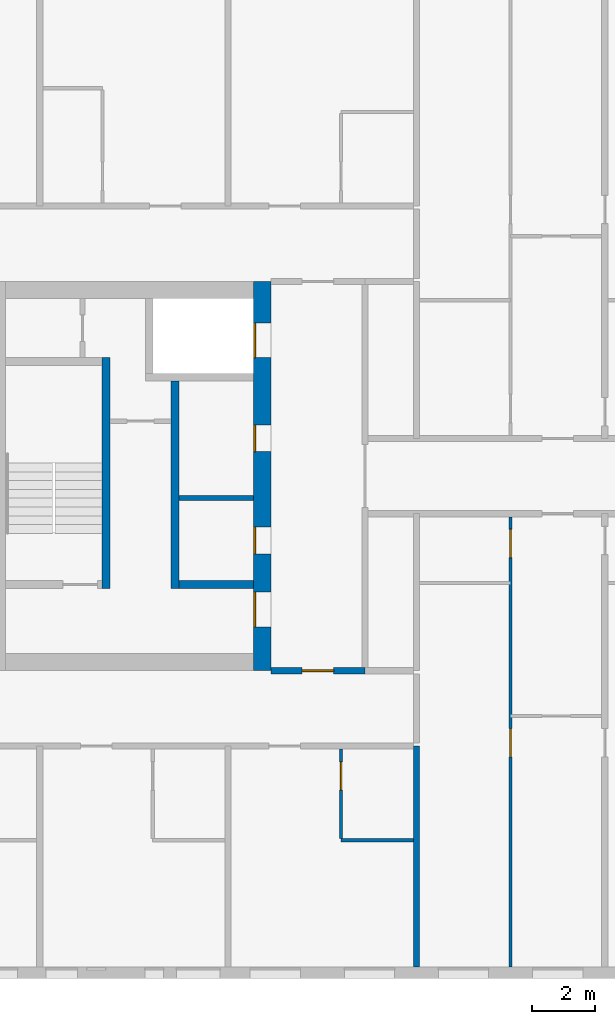
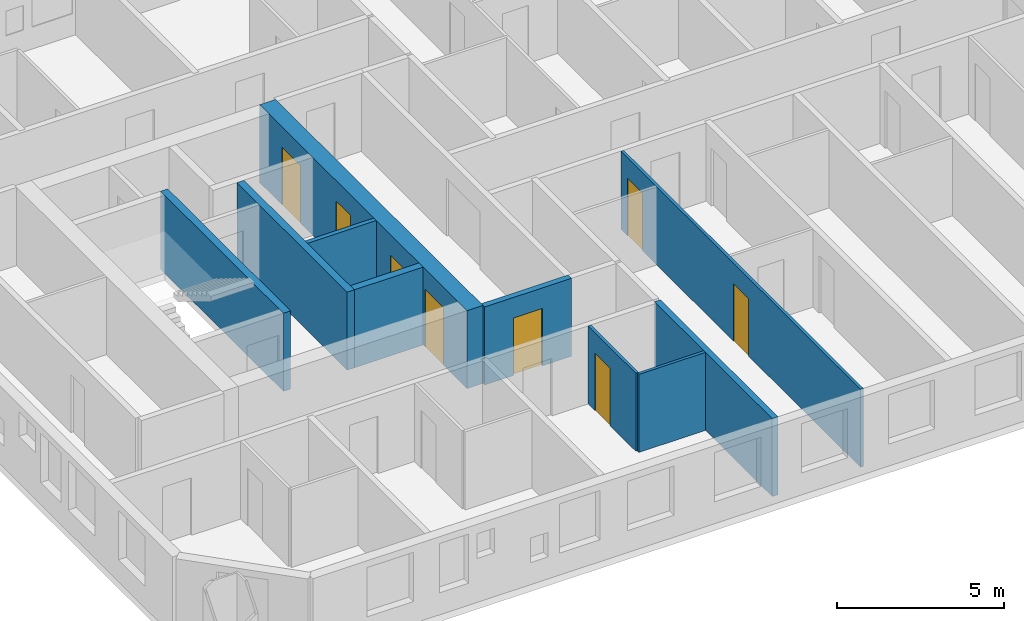
# One storey, part 3 of 17: 10 walls, 8 doors, 8 openings.
"""IFC4 building model written with IfcOpenShell, lengths in metres."""

from ifc_helpers import new_model, si_unit, direction, frame, frame_2d, origin, place, context, subcontext, project, spatial, rectangle, extrude, material, layer, layer_set, type_object, element, fill, save


model = new_model("IFC4")

# Units and contexts
model_context = context("Model", 3, precision=1e-05, world=origin(), true_north=direction((0.0, 1.0)))
body_context = subcontext(model_context, "Body", "Model", "MODEL_VIEW")
ifc_project = project(units=[si_unit("LENGTHUNIT", "METRE"), si_unit("AREAUNIT", "SQUARE_METRE"), si_unit("VOLUMEUNIT", "CUBIC_METRE"), si_unit("PLANEANGLEUNIT", "RADIAN"), si_unit("MASSUNIT", "GRAM", prefix="KILO")], contexts=[model_context])

# Site, building, storey
site_placement = place(None, origin())
site = spatial("IfcSite", under=ifc_project, at=site_placement, CompositionType="ELEMENT")
building_placement = place(site_placement, origin())
building = spatial("IfcBuilding", under=site, at=building_placement, Name="Tuart Gate Housing", CompositionType="ELEMENT")
storey_placement = place(building_placement, frame((0.0, 0.0, 126.800048828125)))
storey = spatial("IfcBuildingStorey", under=building, at=storey_placement, Name="L35", CompositionType="ELEMENT", Elevation=126.800048828125)

# Walls
ifc_material_1 = material(Name="Plasterboard partition")
ifc_layer_1 = layer(ifc_material_1, 0.14990234375)
ifc_layer_set_1 = layer_set([ifc_layer_1], Name="Core partition 150")
wall_type_1 = type_object("IfcWallType", Name="Core partition 150", PredefinedType="PARTITIONING", material=ifc_layer_set_1)
wall_1_placement = place(storey_placement, frame((40.81005859375, 69.300048828125, 0.0), z_axis=(0.0, 0.0, 1.0), x_axis=(-1.0, 0.0, 0.0)))
element("IfcWall", 1, at=wall_1_placement, inside=storey, type_object=wall_type_1, Name="Core partition AK.4", PredefinedType="PARTITIONING", context=body_context, shape_type="SweptSolid", body=[
    extrude(rectangle(XDim=2.375, YDim=0.14990234375, at=frame_2d((1.1875, 0.0))), origin(), (0.0, 0.0, 1.0), 2.849853515625),
])
ifc_material_2 = material(Name="Concrete C50", Category="concrete")
ifc_layer_2 = layer(ifc_material_2, 0.25)
ifc_layer_set_2 = layer_set([ifc_layer_2], Name="Core wall 250 C50")
wall_type_2 = type_object("IfcWallType", Name="Core wall 250 C50", PredefinedType="SHEAR", material=ifc_layer_set_2)
wall_2_placement = place(storey_placement, frame((40.81005859375, 66.550048828125, 0.0), z_axis=(0.0, 0.0, 1.0), x_axis=(-1.0, 0.0, 0.0)))
element("IfcWall", 2, at=wall_2_placement, inside=storey, type_object=wall_type_2, Name="Core wall AK.5", PredefinedType="SHEAR", context=body_context, shape_type="SweptSolid", body=[
    extrude(rectangle(XDim=2.375, YDim=0.25, at=frame_2d((1.1875, 0.0))), origin(), (0.0, 0.0, 1.0), 2.849853515625),
])
wall_3_placement = place(storey_placement, frame((38.31005859375, 73.02490234375, 0.0), z_axis=(0.0, 0.0, 1.0), x_axis=(0.0, -1.0, 0.0)))
element("IfcWall", 3, at=wall_3_placement, inside=storey, type_object=wall_type_2, Name="Core wall AK.7", PredefinedType="SHEAR", context=body_context, shape_type="SweptSolid", body=[
    extrude(rectangle(XDim=6.599853515625, YDim=0.25, at=frame_2d((3.2998046875, 0.0))), origin(), (0.0, 0.0, 1.0), 2.849853515625),
])
wall_4_placement = place(storey_placement, frame((36.110107421875, 73.77490234375, 0.0), z_axis=(0.0, 0.0, 1.0), x_axis=(0.0, -1.0, 0.0)))
element("IfcWall", 4, at=wall_4_placement, inside=storey, type_object=wall_type_2, Name="Core wall AK.9", PredefinedType="SHEAR", context=body_context, shape_type="SweptSolid", body=[
    extrude(rectangle(XDim=7.349853515625, YDim=0.25, at=frame_2d((3.6748046875, 0.0))), origin(), (0.0, 0.0, 1.0), 2.849853515625),
])

# Wall, openings, doors
ifc_material_3 = material(Name="Concrete C50", Category="concrete")
ifc_layer_3 = layer(ifc_material_3, 0.550048828125)
ifc_layer_set_3 = layer_set([ifc_layer_3], Name="Core wall 550 C50")
wall_type_3 = type_object("IfcWallType", Name="Core wall 550 C50", PredefinedType="SHEAR", material=ifc_layer_set_3)
wall_5_placement = place(storey_placement, frame((41.0849609375, 76.199951171875, 0.0), z_axis=(0.0, 0.0, 1.0), x_axis=(0.0, -1.0, 0.0)))
wall_5 = element("IfcWall", 5, at=wall_5_placement, inside=storey, type_object=wall_type_3, Name="Core wall AK front", PredefinedType="SHEAR", context=body_context, shape_type="SweptSolid", body=[
    extrude(rectangle(XDim=12.39990234375, YDim=0.550048828125, at=frame_2d((6.199951171875, 0.0))), origin(), (0.0, 0.0, 1.0), 2.849853515625),
])
opening_1_placement = place(wall_5_placement, frame((1.324951171875, 0.0, 0.0)))
opening_1 = element("IfcOpeningElement", 6, at=opening_1_placement, cuts=wall_5, Name="Opening LD-FA2", PredefinedType="OPENING", context=body_context, shape_type="SweptSolid", body=[
    extrude(rectangle(XDim=1.10009765625, YDim=2.10009765625, at=frame_2d((0.550048828125, 1.050048828125))), frame((0.0, 0.284912109375, 0.0), z_axis=(0.0, -1.0, 0.0), x_axis=(1.0, 0.0, 0.0)), (0.0, 0.0, 1.0), 0.570068359375),
])
opening_2_placement = place(wall_5_placement, frame((4.574951171875, 0.0, 0.0)))
opening_2 = element("IfcOpeningElement", 7, at=opening_2_placement, cuts=wall_5, Name="Opening D1320", PredefinedType="OPENING", context=body_context, shape_type="SweptSolid", body=[
    extrude(rectangle(XDim=0.85009765625, YDim=2.10009765625, at=frame_2d((0.425048828125, 1.050048828125))), frame((0.0, 0.284912109375, 0.0), z_axis=(0.0, -1.0, 0.0), x_axis=(1.0, 0.0, 0.0)), (0.0, 0.0, 1.0), 0.570068359375),
])
opening_3_placement = place(wall_5_placement, frame((7.824951171875, 0.0, 0.0)))
opening_3 = element("IfcOpeningElement", 8, at=opening_3_placement, cuts=wall_5, Name="Opening D1321", PredefinedType="OPENING", context=body_context, shape_type="SweptSolid", body=[
    extrude(rectangle(XDim=0.85009765625, YDim=2.10009765625, at=frame_2d((0.425048828125, 1.050048828125))), frame((0.0, 0.284912109375, 0.0), z_axis=(0.0, -1.0, 0.0), x_axis=(1.0, 0.0, 0.0)), (0.0, 0.0, 1.0), 0.570068359375),
])
opening_4_placement = place(wall_5_placement, frame((9.89990234375, 0.0, 0.0)))
opening_4 = element("IfcOpeningElement", 9, at=opening_4_placement, cuts=wall_5, Name="Opening D1319", PredefinedType="OPENING", context=body_context, shape_type="SweptSolid", body=[
    extrude(rectangle(XDim=1.10009765625, YDim=2.10009765625, at=frame_2d((0.550048828125, 1.050048828125))), frame((0.0, 0.284912109375, 0.0), z_axis=(0.0, -1.0, 0.0), x_axis=(1.0, 0.0, 0.0)), (0.0, 0.0, 1.0), 0.570068359375),
])
ifc_material_4 = material(Name="Stainless steel", Category="steel")
door_type_1 = type_object("IfcDoorType", Name="Landing door 1100 x 2100", OperationType="DOUBLE_DOOR_SLIDING", PredefinedType="DOOR", material=ifc_material_4)
door_1_placement = place(opening_1_placement, origin())
door_1 = element("IfcDoor", 10, at=door_1_placement, inside=storey, type_object=door_type_1, Name="Lift landing door FA2", OperationType="DOUBLE_DOOR_SLIDING", OverallHeight=2.10009765625, OverallWidth=1.10009765625, PredefinedType="DOOR", context=body_context, shape_type="SweptSolid", body=[
    extrude(rectangle(XDim=1.10009765625, YDim=2.10009765625, at=frame_2d((0.550048828125, 1.050048828125))), frame((0.0, -0.2099609375, 0.0), z_axis=(0.0, -1.0, 0.0), x_axis=(1.0, 0.0, 0.0)), (0.0, 0.0, 1.0), 0.050048828125),
])
fill(opening_1, door_1)
ifc_material_5 = material(Name="Steel fire door", Category="steel")
door_type_2 = type_object("IfcDoorType", Name="Lobby door 1100 x 2100 RH", OperationType="SINGLE_SWING_RIGHT", PredefinedType="DOOR", material=ifc_material_5)
door_2_placement = place(opening_4_placement, frame((1.10009765625, 0.0, 0.0), z_axis=(0.0, 0.0, 1.0), x_axis=(-1.0, 0.0, 0.0)))
door_2 = element("IfcDoor", 11, at=door_2_placement, inside=storey, type_object=door_type_2, Name="Lobby entry door AK.EN", OperationType="SINGLE_SWING_RIGHT", OverallHeight=2.10009765625, OverallWidth=1.10009765625, PredefinedType="DOOR", context=body_context, shape_type="SweptSolid", body=[
    extrude(rectangle(XDim=1.10009765625, YDim=2.10009765625, at=frame_2d((0.550048828125, 1.050048828125))), frame((0.0, 0.260009765625, 0.0), z_axis=(0.0, -1.0, 0.0), x_axis=(1.0, 0.0, 0.0)), (0.0, 0.0, 1.0), 0.050048828125),
])
fill(opening_4, door_2)
ifc_material_6 = material(Name="Steel fire door", Category="steel")
door_type_3 = type_object("IfcDoorType", Name="Service door 850 x 2100 RH", OperationType="SINGLE_SWING_RIGHT", PredefinedType="DOOR", material=ifc_material_6)
door_3_placement = place(opening_2_placement, frame((0.85009765625, 0.0, 0.0), z_axis=(0.0, 0.0, 1.0), x_axis=(-1.0, 0.0, 0.0)))
door_3 = element("IfcDoor", 12, at=door_3_placement, inside=storey, type_object=door_type_3, Name="Service room door AK.FR1", OperationType="SINGLE_SWING_RIGHT", OverallHeight=2.10009765625, OverallWidth=0.85009765625, PredefinedType="DOOR", context=body_context, shape_type="SweptSolid", body=[
    extrude(rectangle(XDim=0.85009765625, YDim=2.10009765625, at=frame_2d((0.425048828125, 1.050048828125))), frame((0.0, 0.260009765625, 0.0), z_axis=(0.0, -1.0, 0.0), x_axis=(1.0, 0.0, 0.0)), (0.0, 0.0, 1.0), 0.050048828125),
])
fill(opening_2, door_3)
door_4_placement = place(opening_3_placement, frame((0.85009765625, 0.0, 0.0), z_axis=(0.0, 0.0, 1.0), x_axis=(-1.0, 0.0, 0.0)))
door_4 = element("IfcDoor", 13, at=door_4_placement, inside=storey, type_object=door_type_3, Name="Service room door AK.FR2", OperationType="SINGLE_SWING_RIGHT", OverallHeight=2.10009765625, OverallWidth=0.85009765625, PredefinedType="DOOR", context=body_context, shape_type="SweptSolid", body=[
    extrude(rectangle(XDim=0.85009765625, YDim=2.10009765625, at=frame_2d((0.425048828125, 1.050048828125))), frame((0.0, 0.260009765625, 0.0), z_axis=(0.0, -1.0, 0.0), x_axis=(1.0, 0.0, 0.0)), (0.0, 0.0, 1.0), 0.050048828125),
])
fill(opening_3, door_4)

# Wall, opening, door
ifc_material_7 = material(Name="Concrete masonry 15 MPa", Category="masonry")
ifc_layer_4 = layer(ifc_material_7, 0.199951171875)
ifc_layer_set_4 = layer_set([ifc_layer_4], Name="Enclosure wall masonry 200")
wall_type_4 = type_object("IfcWallType", Name="Enclosure wall masonry 200", PredefinedType="PARTITIONING", material=ifc_layer_set_4)
wall_6_placement = place(storey_placement, frame((41.360107421875, 63.800048828125, 0.0), z_axis=(0.0, 0.0, 1.0), x_axis=(1.0, 0.0, 0.0)))
wall_6 = element("IfcWall", 14, at=wall_6_placement, inside=storey, type_object=wall_type_4, Name="Enclosure wall masonry 200", PredefinedType="PARTITIONING", context=body_context, shape_type="SweptSolid", body=[
    extrude(rectangle(XDim=3.0, YDim=0.199951171875, at=frame_2d((1.5, 0.0))), origin(), (0.0, 0.0, 1.0), 2.849853515625),
])
opening_5_placement = place(wall_6_placement, frame((1.0, 0.0, 0.0)))
opening_5 = element("IfcOpeningElement", 15, at=opening_5_placement, cuts=wall_6, Name="Opening D1329", PredefinedType="OPENING", context=body_context, shape_type="SweptSolid", body=[
    extrude(rectangle(XDim=1.0, YDim=2.10009765625, at=frame_2d((0.5, 1.050048828125))), frame((0.0, 0.10986328125, 0.0), z_axis=(0.0, -1.0, 0.0), x_axis=(1.0, 0.0, 0.0)), (0.0, 0.0, 1.0), 0.219970703125),
])
ifc_material_8 = material(Name="Timber door leaf in steel frame", Category="steel")
door_type_4 = type_object("IfcDoorType", Name="Fire door 1000", OperationType="SINGLE_SWING_LEFT", PredefinedType="DOOR", material=ifc_material_8)
door_5_placement = place(opening_5_placement, frame((1.0, 0.0, 0.0), z_axis=(0.0, 0.0, 1.0), x_axis=(-1.0, 0.0, 0.0)))
door_5 = element("IfcDoor", 16, at=door_5_placement, inside=storey, type_object=door_type_4, Name="Fire door", OperationType="SINGLE_SWING_LEFT", OverallHeight=2.10009765625, OverallWidth=1.0, PredefinedType="DOOR", context=body_context, shape_type="SweptSolid", body=[
    extrude(rectangle(XDim=1.0, YDim=2.10009765625, at=frame_2d((0.5, 1.050048828125))), frame((0.0, 0.025146484375, 0.0), z_axis=(0.0, -1.0, 0.0), x_axis=(1.0, 0.0, 0.0)), (0.0, 0.0, 1.0), 0.050048828125),
])
fill(opening_5, door_5)

# Wall
ifc_material_9 = material(Name="Gypsum board on steel studs", Category="steel")
ifc_layer_5 = layer(ifc_material_9, 0.10009765625)
ifc_layer_set_5 = layer_set([ifc_layer_5], Name="Partition 100")
wall_type_5 = type_object("IfcWallType", Name="Partition 100", PredefinedType="PARTITIONING", material=ifc_layer_set_5)
wall_7_placement = place(storey_placement, frame((43.60009765625, 58.39990234375, 0.0), z_axis=(0.0, 0.0, 1.0), x_axis=(1.0, 0.0, 0.0)))
element("IfcWall", 17, at=wall_7_placement, inside=storey, type_object=wall_type_5, Name="Partition 100", PredefinedType="PARTITIONING", context=body_context, shape_type="SweptSolid", body=[
    extrude(rectangle(XDim=2.2998046875, YDim=0.10009765625, at=frame_2d((1.14990234375, 0.0))), origin(), (0.0, 0.0, 1.0), 2.849853515625),
])

# Wall, opening, door
wall_8_placement = place(storey_placement, frame((43.60009765625, 58.449951171875, 0.0), z_axis=(0.0, 0.0, 1.0), x_axis=(0.0, 1.0, 0.0)))
wall_8 = element("IfcWall", 18, at=wall_8_placement, inside=storey, type_object=wall_type_5, Name="Partition 100", PredefinedType="PARTITIONING", context=body_context, shape_type="SweptSolid", body=[
    extrude(rectangle(XDim=2.85009765625, YDim=0.10009765625, at=frame_2d((1.425048828125, 0.0))), origin(), (0.0, 0.0, 1.0), 2.849853515625),
])
opening_6_placement = place(wall_8_placement, frame((1.550048828125, 0.0, 0.0)))
opening_6 = element("IfcOpeningElement", 19, at=opening_6_placement, cuts=wall_8, Name="Opening D1347", PredefinedType="OPENING", context=body_context, shape_type="SweptSolid", body=[
    extrude(rectangle(XDim=0.89990234375, YDim=2.10009765625, at=frame_2d((0.449951171875, 1.050048828125))), frame((0.0, 0.06005859375, 0.0), z_axis=(0.0, -1.0, 0.0), x_axis=(1.0, 0.0, 0.0)), (0.0, 0.0, 1.0), 0.1201171875),
])
ifc_material_10 = material(Name="Timber door leaf in steel frame", Category="steel")
door_type_5 = type_object("IfcDoorType", Name="Bathroom door 900", OperationType="SINGLE_SWING_LEFT", PredefinedType="DOOR", material=ifc_material_10)
door_6_placement = place(opening_6_placement, frame((0.89990234375, 0.0, 0.0), z_axis=(0.0, 0.0, 1.0), x_axis=(-1.0, 0.0, 0.0)))
door_6 = element("IfcDoor", 20, at=door_6_placement, inside=storey, type_object=door_type_5, Name="Bathroom door", OperationType="SINGLE_SWING_LEFT", OverallHeight=2.10009765625, OverallWidth=0.89990234375, PredefinedType="DOOR", context=body_context, shape_type="SweptSolid", body=[
    extrude(rectangle(XDim=0.89990234375, YDim=2.10009765625, at=frame_2d((0.449951171875, 1.050048828125))), frame((0.0, 0.025146484375, 0.0), z_axis=(0.0, -1.0, 0.0), x_axis=(1.0, 0.0, 0.0)), (0.0, 0.0, 1.0), 0.050048828125),
])
fill(opening_6, door_6)

# Wall, openings, doors
wall_9_placement = place(storey_placement, frame((49.0, 54.360107421875, 0.0), z_axis=(0.0, 0.0, 1.0), x_axis=(0.0, 1.0, 0.0)))
wall_9 = element("IfcWall", 21, at=wall_9_placement, inside=storey, type_object=wall_type_5, Name="Partition 100", PredefinedType="PARTITIONING", context=body_context, shape_type="SweptSolid", body=[
    extrude(rectangle(XDim=14.33984375, YDim=0.10009765625, at=frame_2d((7.169921875, 0.0))), origin(), (0.0, 0.0, 1.0), 2.849853515625),
])
opening_7_placement = place(wall_9_placement, frame((6.699951171875, 0.0, 0.0)))
opening_7 = element("IfcOpeningElement", 22, at=opening_7_placement, cuts=wall_9, Name="Opening D1337", PredefinedType="OPENING", context=body_context, shape_type="SweptSolid", body=[
    extrude(rectangle(XDim=0.89990234375, YDim=2.10009765625, at=frame_2d((0.449951171875, 1.050048828125))), frame((0.0, 0.06005859375, 0.0), z_axis=(0.0, -1.0, 0.0), x_axis=(1.0, 0.0, 0.0)), (0.0, 0.0, 1.0), 0.1201171875),
])
opening_8_placement = place(wall_9_placement, frame((13.0400390625, 0.0, 0.0)))
opening_8 = element("IfcOpeningElement", 23, at=opening_8_placement, cuts=wall_9, Name="Opening D1336", PredefinedType="OPENING", context=body_context, shape_type="SweptSolid", body=[
    extrude(rectangle(XDim=0.89990234375, YDim=2.10009765625, at=frame_2d((0.449951171875, 1.050048828125))), frame((0.0, 0.06005859375, 0.0), z_axis=(0.0, -1.0, 0.0), x_axis=(1.0, 0.0, 0.0)), (0.0, 0.0, 1.0), 0.1201171875),
])
ifc_material_11 = material(Name="Timber door leaf in steel frame", Category="steel")
door_type_6 = type_object("IfcDoorType", Name="Bathroom door 900 RH", OperationType="SINGLE_SWING_RIGHT", PredefinedType="DOOR", material=ifc_material_11)
door_7_placement = place(opening_8_placement, origin())
door_7 = element("IfcDoor", 24, at=door_7_placement, inside=storey, type_object=door_type_6, Name="Bathroom door", OperationType="SINGLE_SWING_RIGHT", OverallHeight=2.10009765625, OverallWidth=0.89990234375, PredefinedType="DOOR", context=body_context, shape_type="SweptSolid", body=[
    extrude(rectangle(XDim=0.89990234375, YDim=2.10009765625, at=frame_2d((0.449951171875, 1.050048828125))), frame((0.0, 0.02490234375, 0.0), z_axis=(0.0, -1.0, 0.0), x_axis=(1.0, 0.0, 0.0)), (0.0, 0.0, 1.0), 0.050048828125),
])
fill(opening_8, door_7)
ifc_material_12 = material(Name="Timber door leaf in steel frame", Category="steel")
door_type_7 = type_object("IfcDoorType", Name="Internal door 900 RH", OperationType="SINGLE_SWING_RIGHT", PredefinedType="DOOR", material=ifc_material_12)
door_8_placement = place(opening_7_placement, origin())
door_8 = element("IfcDoor", 25, at=door_8_placement, inside=storey, type_object=door_type_7, Name="Internal door", OperationType="SINGLE_SWING_RIGHT", OverallHeight=2.10009765625, OverallWidth=0.89990234375, PredefinedType="DOOR", context=body_context, shape_type="SweptSolid", body=[
    extrude(rectangle(XDim=0.89990234375, YDim=2.10009765625, at=frame_2d((0.449951171875, 1.050048828125))), frame((0.0, 0.02490234375, 0.0), z_axis=(0.0, -1.0, 0.0), x_axis=(1.0, 0.0, 0.0)), (0.0, 0.0, 1.0), 0.050048828125),
])
fill(opening_7, door_8)

# Wall
ifc_material_13 = material(Name="Concrete C40", Category="concrete")
ifc_layer_6 = layer(ifc_material_13, 0.199951171875)
ifc_layer_set_6 = layer_set([ifc_layer_6], Name="Party wall concrete C40 200")
wall_type_6 = type_object("IfcWallType", Name="Party wall concrete C40 200", PredefinedType="SOLIDWALL", material=ifc_layer_set_6)
wall_10_placement = place(storey_placement, frame((46.0, 54.360107421875, 0.0), z_axis=(0.0, 0.0, 1.0), x_axis=(0.0, 1.0, 0.0)))
element("IfcWall", 26, at=wall_10_placement, inside=storey, type_object=wall_type_6, Name="Party wall concrete C40 200", PredefinedType="SOLIDWALL", context=body_context, shape_type="SweptSolid", body=[
    extrude(rectangle(XDim=7.039794921875, YDim=0.199951171875, at=frame_2d((3.52001953125, 0.0))), origin(), (0.0, 0.0, 1.0), 2.849853515625),
])

save(model, "model.ifc")
